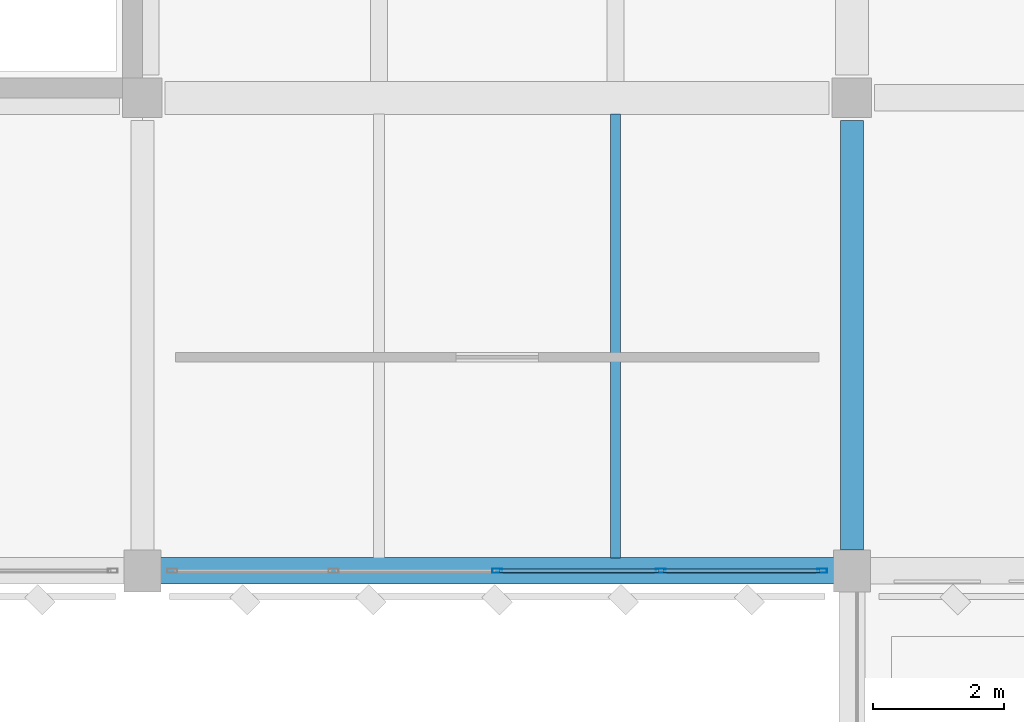
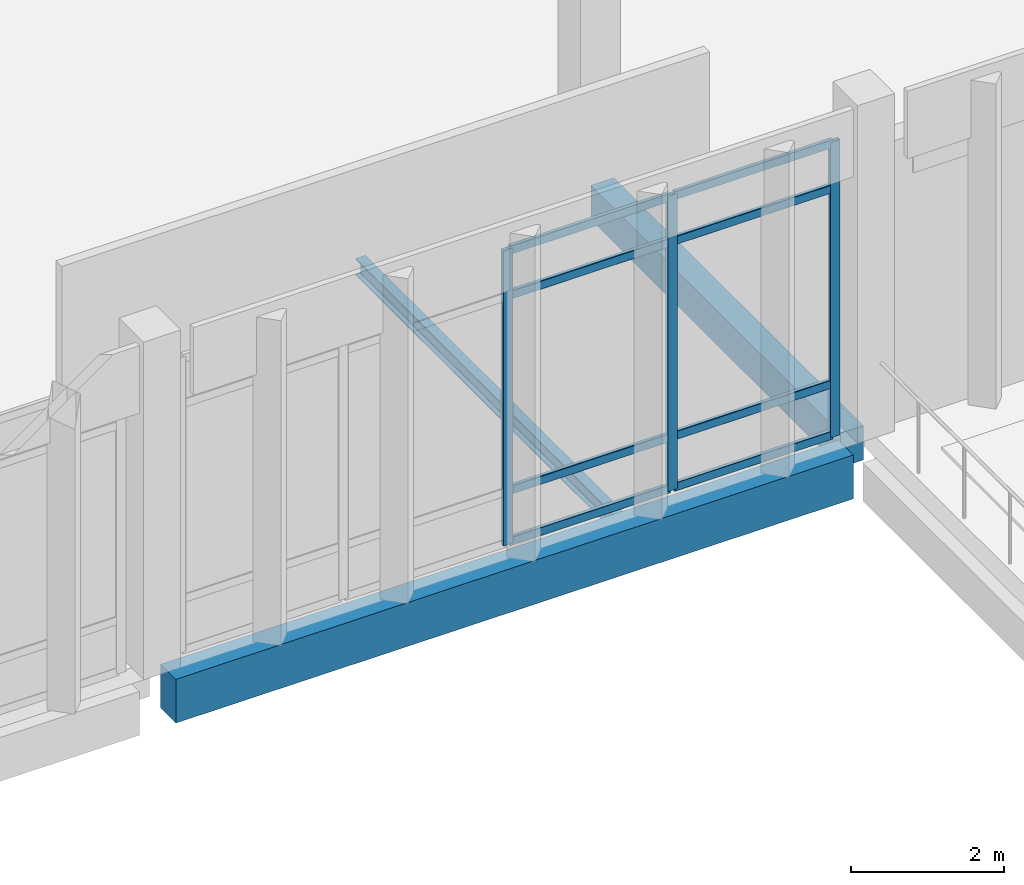
# One storey, part 81 of 180: 11 members, 3 beams, 1 element without a shape of its own.
"""IFC4 building model written with IfcOpenShell, lengths in metres."""

from ifc_helpers import new_model, si_unit, direction, frame, origin, origin_2d, place, context, subcontext, project, spatial, rectangle, hollow_rectangle, i_section, extrude, material, material_profile, profile_set, type_object, element, aggregate, save


model = new_model("IFC4")

# Units and contexts
model_context = context("Model", 3, precision=1e-05, world=origin(), true_north=direction((0.0, 1.0)))
body_context = subcontext(model_context, "Body", "Model", "MODEL_VIEW")
ifc_project = project(units=[si_unit("LENGTHUNIT", "METRE"), si_unit("AREAUNIT", "SQUARE_METRE"), si_unit("VOLUMEUNIT", "CUBIC_METRE"), si_unit("PLANEANGLEUNIT", "RADIAN"), si_unit("MASSUNIT", "GRAM", prefix="KILO")], contexts=[model_context])

# Site, building, storey
site_placement = place(None, origin())
site = spatial("IfcSite", under=ifc_project, at=site_placement, CompositionType="ELEMENT")
building_placement = place(site_placement, origin())
building = spatial("IfcBuilding", under=site, at=building_placement, Name="Lusvemor Sports Hall", CompositionType="ELEMENT")
storey_placement = place(building_placement, frame((0.0, 0.0, 5.39990234375)))
storey = spatial("IfcBuildingStorey", under=building, at=storey_placement, Name="L01", CompositionType="ELEMENT", Elevation=5.39990234375)

# Beam
ifc_material_1 = material(Name="Concrete C40/50", Category="concrete")
ifc_material_profile_1 = material_profile(ifc_material_1, rectangle(XDim=0.35009765625, YDim=0.550048828125, at=origin_2d()), Name="RC350x550")
ifc_profile_set_1 = profile_set([ifc_material_profile_1], Name="Concrete C40/50")
beam_type_1 = type_object("IfcBeamType", Name="BEAM_RC_550", PredefinedType="BEAM", material=ifc_profile_set_1)
beam_1_placement = place(storey_placement, frame((75.60009765625, 97.51611328125, -0.534912109375), z_axis=(0.0, 1.0, 0.0), x_axis=(-1.0, 0.0, 0.0)))
element("IfcBeam", 1, at=beam_1_placement, inside=storey, type_object=beam_type_1, Name="Beam L01 8:N-P", PredefinedType="BEAM", context=body_context, shape_type="SweptSolid", body=[
    extrude(rectangle(XDim=0.35009765625, YDim=0.550048828125, at=origin_2d()), origin(), (0.0, 0.0, 1.0), 6.537841796875),
])

# Curtain wall, members
ifc_material_2 = material(Name="Thermally broken bronze-anodized aluminium", Category="aluminium")
curtain_wall_type = type_object("IfcCurtainWallType", Name="CW_WING_B", PredefinedType="NOTDEFINED", material=ifc_material_2)
curtain_wall_placement = place(storey_placement, origin())
curtain_wall = element("IfcCurtainWall", 2, at=curtain_wall_placement, inside=storey, type_object=curtain_wall_type, Name="Curtain Wall CW-L01-S-3-4", PredefinedType="NOTDEFINED")
ifc_material_3 = material(Name="Thermally broken bronze-anodized aluminium", Category="aluminium")
ifc_material_profile_2 = material_profile(ifc_material_3, hollow_rectangle(XDim=0.06494140625, YDim=0.14990234375, WallThickness=0.00390625, InnerFilletRadius=0.00390625, OuterFilletRadius=0.008056640625, at=origin_2d()), Name="CWMUL150x65x4")
ifc_profile_set_2 = profile_set([ifc_material_profile_2], Name="Thermally broken bronze-anodized aluminium")
member_type_1 = type_object("IfcMemberType", Name="CW_MUL_B", PredefinedType="MULLION", material=ifc_profile_set_2)
member_1_placement = place(storey_placement, frame((75.1474609375, 97.199951171875, 0.0), z_axis=(0.0, 0.0, 1.0), x_axis=(0.0, -1.0, 0.0)))
member_1 = element("IfcMember", 3, at=member_1_placement, type_object=member_type_1, Name="CW02 mullion 1", PredefinedType="MULLION", context=body_context, shape_type="SweptSolid", body=[
    extrude(hollow_rectangle(XDim=0.06494140625, YDim=0.14990234375, WallThickness=0.00390625, InnerFilletRadius=0.00390625, OuterFilletRadius=0.008056640625, at=origin_2d()), origin(), (0.0, 0.0, 1.0), 4.72021484375),
])
member_2_placement = place(storey_placement, frame((72.68994140625, 97.199951171875, 0.0), z_axis=(0.0, 0.0, 1.0), x_axis=(0.0, -1.0, 0.0)))
member_2 = element("IfcMember", 4, at=member_2_placement, type_object=member_type_1, Name="CW02 mullion 2", PredefinedType="MULLION", context=body_context, shape_type="SweptSolid", body=[
    extrude(hollow_rectangle(XDim=0.06494140625, YDim=0.14990234375, WallThickness=0.00390625, InnerFilletRadius=0.00390625, OuterFilletRadius=0.008056640625, at=origin_2d()), origin(), (0.0, 0.0, 1.0), 4.72021484375),
])
member_3_placement = place(storey_placement, frame((70.199951171875, 97.199951171875, 0.0), z_axis=(0.0, 0.0, 1.0), x_axis=(0.0, -1.0, 0.0)))
member_3 = element("IfcMember", 5, at=member_3_placement, type_object=member_type_1, Name="CW02 mullion 3", PredefinedType="MULLION", context=body_context, shape_type="SweptSolid", body=[
    extrude(hollow_rectangle(XDim=0.06494140625, YDim=0.14990234375, WallThickness=0.00390625, InnerFilletRadius=0.00390625, OuterFilletRadius=0.008056640625, at=origin_2d()), origin(), (0.0, 0.0, 1.0), 4.72021484375),
])
ifc_material_4 = material(Name="Thermally broken bronze-anodized aluminium", Category="aluminium")
ifc_material_profile_3 = material_profile(ifc_material_4, hollow_rectangle(XDim=0.06005859375, YDim=0.135009765625, WallThickness=0.00390625, InnerFilletRadius=0.00390625, OuterFilletRadius=0.008056640625, at=origin_2d()), Name="CWTRN135x60x4")
ifc_profile_set_3 = profile_set([ifc_material_profile_3], Name="Thermally broken bronze-anodized aluminium")
member_type_2 = type_object("IfcMemberType", Name="CW_TRN_B", PredefinedType="USERDEFINED", material=ifc_profile_set_3)
member_4_placement = place(storey_placement, frame((75.114990234375, 97.199951171875, 0.030029296875), z_axis=(-1.0, 0.0, 0.0), x_axis=(0.0, -1.0, 0.0)))
member_4 = element("IfcMember", 6, at=member_4_placement, type_object=member_type_2, Name="CW02 transom 1.1", ObjectType="TRANSOM", PredefinedType="USERDEFINED", context=body_context, shape_type="SweptSolid", body=[
    extrude(hollow_rectangle(XDim=0.06005859375, YDim=0.135009765625, WallThickness=0.00390625, InnerFilletRadius=0.00390625, OuterFilletRadius=0.008056640625, at=origin_2d()), origin(), (0.0, 0.0, 1.0), 2.392578125),
])
member_5_placement = place(storey_placement, frame((75.114990234375, 97.199951171875, 0.85009765625), z_axis=(-1.0, 0.0, 0.0), x_axis=(0.0, -1.0, 0.0)))
member_5 = element("IfcMember", 7, at=member_5_placement, type_object=member_type_2, Name="CW02 transom 1.2", ObjectType="TRANSOM", PredefinedType="USERDEFINED", context=body_context, shape_type="SweptSolid", body=[
    extrude(hollow_rectangle(XDim=0.06005859375, YDim=0.135009765625, WallThickness=0.00390625, InnerFilletRadius=0.00390625, OuterFilletRadius=0.008056640625, at=origin_2d()), origin(), (0.0, 0.0, 1.0), 2.392578125),
])
member_6_placement = place(storey_placement, frame((75.114990234375, 97.199951171875, 3.97021484375), z_axis=(-1.0, 0.0, 0.0), x_axis=(0.0, -1.0, 0.0)))
member_6 = element("IfcMember", 8, at=member_6_placement, type_object=member_type_2, Name="CW02 transom 1.3", ObjectType="TRANSOM", PredefinedType="USERDEFINED", context=body_context, shape_type="SweptSolid", body=[
    extrude(hollow_rectangle(XDim=0.06005859375, YDim=0.135009765625, WallThickness=0.00390625, InnerFilletRadius=0.00390625, OuterFilletRadius=0.008056640625, at=origin_2d()), origin(), (0.0, 0.0, 1.0), 2.392578125),
])
member_7_placement = place(storey_placement, frame((75.114990234375, 97.199951171875, 4.690185546875), z_axis=(-1.0, 0.0, 0.0), x_axis=(0.0, -1.0, 0.0)))
member_7 = element("IfcMember", 9, at=member_7_placement, type_object=member_type_2, Name="CW02 transom 1.4", ObjectType="TRANSOM", PredefinedType="USERDEFINED", context=body_context, shape_type="SweptSolid", body=[
    extrude(hollow_rectangle(XDim=0.06005859375, YDim=0.135009765625, WallThickness=0.00390625, InnerFilletRadius=0.00390625, OuterFilletRadius=0.008056640625, at=origin_2d()), origin(), (0.0, 0.0, 1.0), 2.392578125),
])
member_8_placement = place(storey_placement, frame((72.657470703125, 97.199951171875, 0.030029296875), z_axis=(-1.0, 0.0, 0.0), x_axis=(0.0, -1.0, 0.0)))
member_8 = element("IfcMember", 10, at=member_8_placement, type_object=member_type_2, Name="CW02 transom 2.1", ObjectType="TRANSOM", PredefinedType="USERDEFINED", context=body_context, shape_type="SweptSolid", body=[
    extrude(hollow_rectangle(XDim=0.06005859375, YDim=0.135009765625, WallThickness=0.00390625, InnerFilletRadius=0.00390625, OuterFilletRadius=0.008056640625, at=origin_2d()), origin(), (0.0, 0.0, 1.0), 2.425048828125),
])
member_9_placement = place(storey_placement, frame((72.657470703125, 97.199951171875, 0.85009765625), z_axis=(-1.0, 0.0, 0.0), x_axis=(0.0, -1.0, 0.0)))
member_9 = element("IfcMember", 11, at=member_9_placement, type_object=member_type_2, Name="CW02 transom 2.2", ObjectType="TRANSOM", PredefinedType="USERDEFINED", context=body_context, shape_type="SweptSolid", body=[
    extrude(hollow_rectangle(XDim=0.06005859375, YDim=0.135009765625, WallThickness=0.00390625, InnerFilletRadius=0.00390625, OuterFilletRadius=0.008056640625, at=origin_2d()), origin(), (0.0, 0.0, 1.0), 2.425048828125),
])
member_10_placement = place(storey_placement, frame((72.657470703125, 97.199951171875, 3.97021484375), z_axis=(-1.0, 0.0, 0.0), x_axis=(0.0, -1.0, 0.0)))
member_10 = element("IfcMember", 12, at=member_10_placement, type_object=member_type_2, Name="CW02 transom 2.3", ObjectType="TRANSOM", PredefinedType="USERDEFINED", context=body_context, shape_type="SweptSolid", body=[
    extrude(hollow_rectangle(XDim=0.06005859375, YDim=0.135009765625, WallThickness=0.00390625, InnerFilletRadius=0.00390625, OuterFilletRadius=0.008056640625, at=origin_2d()), origin(), (0.0, 0.0, 1.0), 2.425048828125),
])
member_11_placement = place(storey_placement, frame((72.657470703125, 97.199951171875, 4.690185546875), z_axis=(-1.0, 0.0, 0.0), x_axis=(0.0, -1.0, 0.0)))
member_11 = element("IfcMember", 13, at=member_11_placement, type_object=member_type_2, Name="CW02 transom 2.4", ObjectType="TRANSOM", PredefinedType="USERDEFINED", context=body_context, shape_type="SweptSolid", body=[
    extrude(hollow_rectangle(XDim=0.06005859375, YDim=0.135009765625, WallThickness=0.00390625, InnerFilletRadius=0.00390625, OuterFilletRadius=0.008056640625, at=origin_2d()), origin(), (0.0, 0.0, 1.0), 2.425048828125),
])
aggregate(curtain_wall, [member_1, member_2, member_3, member_4, member_5, member_6, member_7, member_8, member_9, member_10, member_11])

# Beams
ifc_material_5 = material(Name="Steel S355", Category="steel")
ifc_material_profile_4 = material_profile(ifc_material_5, i_section(OverallWidth=0.14794921875, OverallDepth=0.26611328125, WebThickness=0.007568359375, FlangeThickness=0.012939453125, FilletRadius=0.012939453125, at=origin_2d()), Name="W250x44.8")
ifc_profile_set_4 = profile_set([ifc_material_profile_4], Name="Steel S355")
beam_type_2 = type_object("IfcBeamType", Name="JOIST_ST_250M", PredefinedType="JOIST", material=ifc_profile_set_4)
beam_2_placement = place(storey_placement, frame((72.0, 97.39599609375, -0.39697265625), z_axis=(0.0, 1.0, 0.0), x_axis=(-1.0, 0.0, 0.0)))
element("IfcBeam", 14, at=beam_2_placement, inside=storey, type_object=beam_type_2, Name="Secondary Joist L01 7-8/N-P #2", PredefinedType="JOIST", context=body_context, shape_type="SweptSolid", body=[
    extrude(i_section(OverallWidth=0.14794921875, OverallDepth=0.26611328125, WebThickness=0.007568359375, FlangeThickness=0.012939453125, FilletRadius=0.012939453125, at=origin_2d()), origin(), (0.0, 0.0, 1.0), 6.758056640625),
])
ifc_material_6 = material(Name="Concrete C40/50", Category="concrete")
ifc_material_profile_5 = material_profile(ifc_material_6, rectangle(XDim=0.39990234375, YDim=0.699951171875, at=origin_2d()), Name="RC400x700")
ifc_profile_set_5 = profile_set([ifc_material_profile_5], Name="Concrete C40/50")
beam_type_3 = type_object("IfcBeamType", Name="SPAND_EXT_700", PredefinedType="SPANDREL", material=ifc_profile_set_5)
beam_3_placement = place(storey_placement, frame((65.075927734375, 97.199951171875, -0.60986328125), z_axis=(1.0, 0.0, 0.0), x_axis=(0.0, 1.0, 0.0)))
element("IfcBeam", 15, at=beam_3_placement, inside=storey, type_object=beam_type_3, Name="Beam L01 N:7-8", PredefinedType="SPANDREL", context=body_context, shape_type="SweptSolid", body=[
    extrude(rectangle(XDim=0.39990234375, YDim=0.699951171875, at=origin_2d()), origin(), (0.0, 0.0, 1.0), 10.248046875),
])

save(model, "model.ifc")
